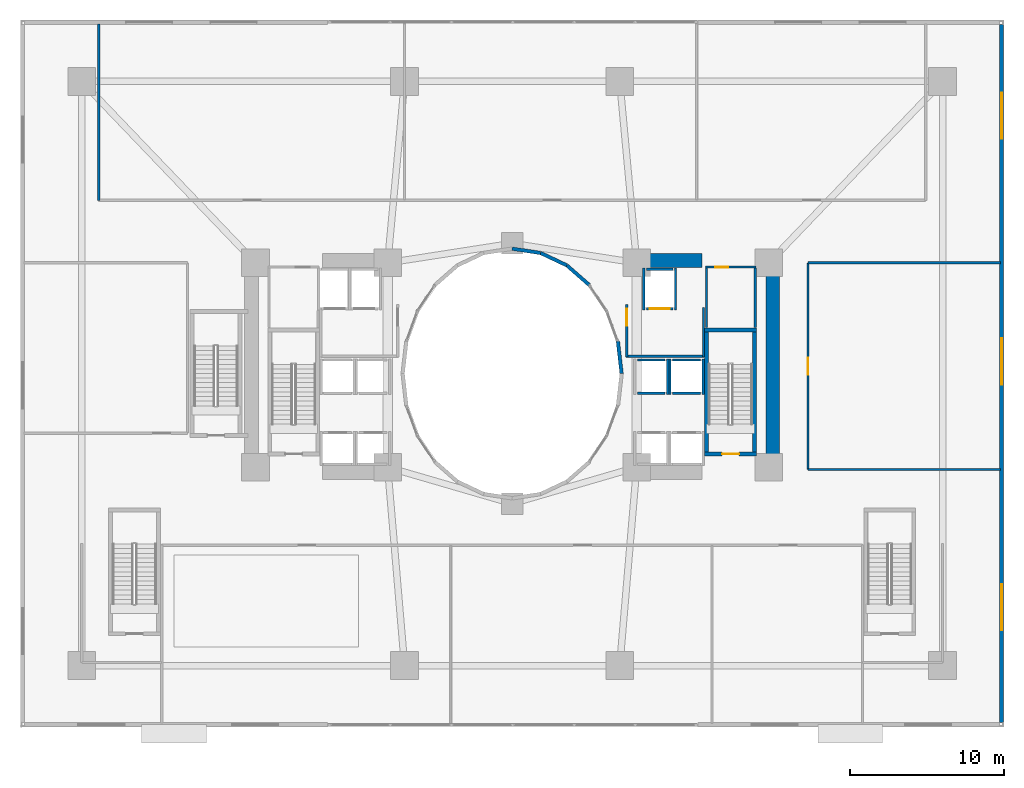
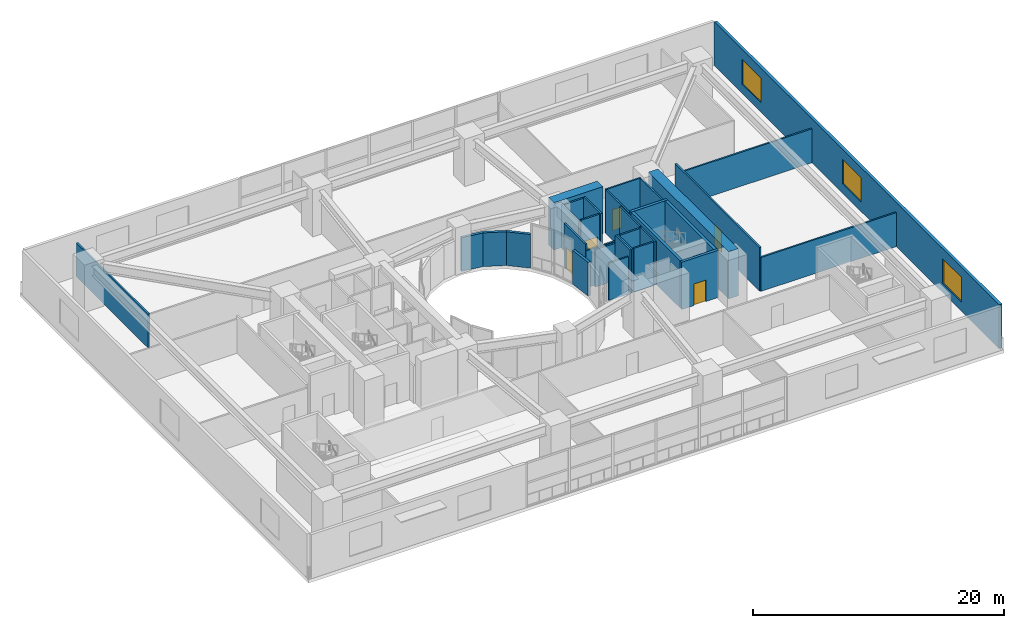
# One storey, part 17 of 25: 32 walls, 5 doors, 3 windows, 8 openings.
"""IFC4 building model written with IfcOpenShell, lengths in metres."""

from ifc_helpers import new_model, si_unit, direction, frame, frame_2d, origin, place, context, subcontext, project, spatial, rectangle, extrude, material, layer, layer_set, type_object, element, fill, save


model = new_model("IFC4")

# Units and contexts
model_context = context("Model", 3, precision=1e-05, world=origin(), true_north=direction((0.0, 1.0)))
body_context = subcontext(model_context, "Body", "Model", "MODEL_VIEW")
ifc_project = project(units=[si_unit("LENGTHUNIT", "METRE"), si_unit("AREAUNIT", "SQUARE_METRE"), si_unit("VOLUMEUNIT", "CUBIC_METRE"), si_unit("PLANEANGLEUNIT", "RADIAN"), si_unit("MASSUNIT", "GRAM", prefix="KILO")], contexts=[model_context])

# Site, building, storey
site_placement = place(None, origin())
site = spatial("IfcSite", under=ifc_project, at=site_placement, CompositionType="ELEMENT")
building_placement = place(site_placement, origin())
building = spatial("IfcBuilding", under=site, at=building_placement, Name="Solvane Sanctuary Tower", CompositionType="ELEMENT")
storey_placement = place(building_placement, frame((0.0, 0.0, 13.800048828125)))
storey = spatial("IfcBuildingStorey", under=building, at=storey_placement, Name="L04", CompositionType="ELEMENT", Elevation=13.800048828125)

# Walls
ifc_material_1 = material(Name="Concrete C70/85", Category="concrete")
ifc_layer_1 = layer(ifc_material_1, 0.89990234375, Name="Concrete C70/85")
ifc_layer_set_1 = layer_set([ifc_layer_1], Name="Concrete C70/85")
wall_type_1 = type_object("IfcWallType", Name="Wall W-CORE-900", PredefinedType="SHEAR", material=ifc_layer_set_1)
wall_1_placement = place(storey_placement, frame((48.949951171875, 17.050048828125, 0.0), z_axis=(0.0, 0.0, 1.0), x_axis=(0.0, 1.0, 0.0)))
element("IfcWall", 1, at=wall_1_placement, inside=storey, type_object=wall_type_1, Name="L04 Core Shear Wall EC-E", PredefinedType="SHEAR", context=body_context, shape_type="SweptSolid", body=[
    extrude(rectangle(XDim=12.800048828125, YDim=0.89990234375, at=frame_2d((6.39990234375, 0.0))), origin(), (0.0, 0.0, 1.0), 4.599853515625),
])
wall_2_placement = place(storey_placement, frame((39.85009765625, 30.35009765625, 0.0), z_axis=(0.0, 0.0, 1.0), x_axis=(1.0, 0.0, 0.0)))
element("IfcWall", 2, at=wall_2_placement, inside=storey, type_object=wall_type_1, Name="L04 Core Shear Wall EC-N", PredefinedType="SHEAR", context=body_context, shape_type="SweptSolid", body=[
    extrude(rectangle(XDim=4.5, YDim=0.89990234375, at=frame_2d((2.25, 0.0))), origin(), (0.0, 0.0, 1.0), 4.599853515625),
])
ifc_material_2 = material(Name="Acoustic Gypsum Partition Board")
ifc_layer_2 = layer(ifc_material_2, 0.14990234375, Name="Acoustic Gypsum Partition Board")
ifc_layer_set_2 = layer_set([ifc_layer_2], Name="Acoustic Gypsum Partition Board")
wall_type_2 = type_object("IfcWallType", Name="Wall W-CORR-150", PredefinedType="PARTITIONING", material=ifc_layer_set_2)
wall_3_placement = place(storey_placement, frame((39.39990234375, 24.1201171875, 0.0), z_axis=(0.0, 0.0, 1.0), x_axis=(1.0, 0.0, 0.0)))
element("IfcWall", 3, at=wall_3_placement, inside=storey, type_object=wall_type_2, Name="L04 East Firefighting Lobby South Wall", PredefinedType="PARTITIONING", context=body_context, shape_type="SweptSolid", body=[
    extrude(rectangle(XDim=5.080078125, YDim=0.14990234375, at=frame_2d((2.5400390625, 0.0))), origin(), (0.0, 0.0, 1.0), 3.619873046875),
])
wall_4_placement = place(storey_placement, frame((44.449951171875, 24.080078125, 0.0), z_axis=(0.0, 0.0, 1.0), x_axis=(0.0, 1.0, 0.0)))
element("IfcWall", 4, at=wall_4_placement, inside=storey, type_object=wall_type_2, Name="L04 East Firefighting Lobby East Wall", PredefinedType="PARTITIONING", context=body_context, shape_type="SweptSolid", body=[
    extrude(rectangle(XDim=3.199951171875, YDim=0.14990234375, at=frame_2d((1.60009765625, 0.0))), origin(), (0.0, 0.0, 1.0), 4.2548828125),
])

# Wall, opening, door
wall_5_placement = place(storey_placement, frame((39.449951171875, 24.080078125, 0.0), z_axis=(0.0, 0.0, 1.0), x_axis=(0.0, 1.0, 0.0)))
wall_5 = element("IfcWall", 5, at=wall_5_placement, inside=storey, type_object=wall_type_2, Name="L04 East Firefighting Lobby West Wall", PredefinedType="PARTITIONING", context=body_context, shape_type="SweptSolid", body=[
    extrude(rectangle(XDim=3.39990234375, YDim=0.14990234375, at=frame_2d((1.699951171875, 0.0))), origin(), (0.0, 0.0, 1.0), 4.2548828125),
])
opening_1_placement = place(wall_5_placement, frame((2.02001953125, 0.0, 0.0)))
opening_1 = element("IfcOpeningElement", 6, at=opening_1_placement, cuts=wall_5, Name="Opening D-L04-07", PredefinedType="OPENING", context=body_context, shape_type="SweptSolid", body=[
    extrude(rectangle(XDim=1.10009765625, YDim=2.10009765625, at=frame_2d((0.550048828125, 1.050048828125))), frame((0.0, 0.0849609375, 0.0), z_axis=(0.0, -1.0, 0.0), x_axis=(1.0, 0.0, 0.0)), (0.0, 0.0, 1.0), 0.169921875),
])
ifc_material_3 = material(Name="Architectural Stainless Steel 316", Category="steel")
door_type_1 = type_object("IfcDoorType", Name="Door D-FFL", OperationType="NOTDEFINED", PredefinedType="DOOR", material=ifc_material_3)
door_1_placement = place(opening_1_placement, origin())
door_1 = element("IfcDoor", 7, at=door_1_placement, inside=storey, type_object=door_type_1, Name="L04 East Firefighting Lobby Fire Door", OperationType="SINGLE_SWING_LEFT", OverallHeight=2.10009765625, OverallWidth=1.10009765625, PredefinedType="DOOR", context=body_context, shape_type="SweptSolid", body=[
    extrude(rectangle(XDim=1.10009765625, YDim=2.10009765625, at=frame_2d((0.550048828125, 1.050048828125))), frame((0.0, 0.02490234375, 0.0), z_axis=(0.0, -1.0, 0.0), x_axis=(1.0, 0.0, 0.0)), (0.0, 0.0, 1.0), 0.050048828125),
])
fill(opening_1, door_1)

# Wall
wall_6_placement = place(storey_placement, frame((5.10009765625, 34.27001953125, 0.0), z_axis=(0.0, 0.0, 1.0), x_axis=(0.0, 1.0, 0.0)))
element("IfcWall", 8, at=wall_6_placement, inside=storey, type_object=wall_type_2, Name="L04 North Hall West Wall", PredefinedType="PARTITIONING", context=body_context, shape_type="SweptSolid", body=[
    extrude(rectangle(XDim=11.47998046875, YDim=0.14990234375, at=frame_2d((5.739990234375, 0.0))), origin(), (0.0, 0.0, 1.0), 3.300048828125),
])

# Wall, opening, door
wall_7_placement = place(storey_placement, frame((51.25, 16.75, 0.0), z_axis=(0.0, 0.0, 1.0), x_axis=(0.0, 1.0, 0.0)))
wall_7 = element("IfcWall", 9, at=wall_7_placement, inside=storey, type_object=wall_type_2, Name="L04 East Sanctuary Corridor Wall", PredefinedType="PARTITIONING", context=body_context, shape_type="SweptSolid", body=[
    extrude(rectangle(XDim=13.449951171875, YDim=0.14990234375, at=frame_2d((6.72509765625, 0.0))), origin(), (0.0, 0.0, 1.0), 4.2548828125),
])
opening_2_placement = place(wall_7_placement, frame((6.175048828125, 0.0, 0.0)))
opening_2 = element("IfcOpeningElement", 10, at=opening_2_placement, cuts=wall_7, Name="Opening D-L04-14", PredefinedType="OPENING", context=body_context, shape_type="SweptSolid", body=[
    extrude(rectangle(XDim=1.10009765625, YDim=2.10009765625, at=frame_2d((0.550048828125, 1.050048828125))), frame((0.0, 0.0849609375, 0.0), z_axis=(0.0, -1.0, 0.0), x_axis=(1.0, 0.0, 0.0)), (0.0, 0.0, 1.0), 0.169921875),
])
door_2_placement = place(opening_2_placement, origin())
door_2 = element("IfcDoor", 11, at=door_2_placement, inside=storey, type_object=door_type_1, Name="L04 DIET Office Door", OperationType="SINGLE_SWING_RIGHT", OverallHeight=2.10009765625, OverallWidth=1.10009765625, PredefinedType="DOOR", context=body_context, shape_type="SweptSolid", body=[
    extrude(rectangle(XDim=1.10009765625, YDim=2.10009765625, at=frame_2d((0.550048828125, 1.050048828125))), frame((0.0, 0.02490234375, 0.0), z_axis=(0.0, -1.0, 0.0), x_axis=(1.0, 0.0, 0.0)), (0.0, 0.0, 1.0), 0.050048828125),
])
fill(opening_2, door_2)

# Walls
for number, where, z_axis, x_axis, name in (
    (12, (51.25, 16.75, 0.0), (0.0, 0.0, 1.0), (1.0, 0.0, 0.0), "L04 East Sanctuary South Wall"),
    (13, (51.25, 30.199951171875, 0.0), (0.0, 0.0, 1.0), (1.0, 0.0, 0.0), "L04 East Sanctuary North Wall"),
):
    element("IfcWall", number, at=place(storey_placement, frame(where, z_axis=z_axis, x_axis=x_axis)), inside=storey, type_object=wall_type_2, Name=name, PredefinedType="PARTITIONING", context=body_context, shape_type="SweptSolid", body=[
        extrude(rectangle(XDim=12.530029296875, YDim=0.14990234375, at=frame_2d((6.26513671875, 0.0))), origin(), (0.0, 0.0, 1.0), 3.300048828125),
    ])

# Wall, openings, windows
ifc_material_4 = material(Name="Precast concrete C40/50", Category="concrete")
ifc_layer_3 = layer(ifc_material_4, 0.260009765625, Name="Precast concrete C40/50")
ifc_layer_set_3 = layer_set([ifc_layer_3], Name="Precast concrete C40/50")
wall_type_3 = type_object("IfcWallType", Name="Wall W-EXT-250", PredefinedType="STANDARD", material=ifc_layer_set_3)
wall_8_placement = place(storey_placement, frame((63.85009765625, 0.280029296875, 0.0), z_axis=(0.0, 0.0, 1.0), x_axis=(0.0, 1.0, 0.0)))
wall_8 = element("IfcWall", 14, at=wall_8_placement, inside=storey, type_object=wall_type_3, Name="L04 Podium Facade Wall E1", PredefinedType="STANDARD", context=body_context, shape_type="SweptSolid", body=[
    extrude(rectangle(XDim=45.43994140625, YDim=0.260009765625, at=frame_2d((22.719970703125, 0.0))), origin(), (0.0, 0.0, 1.0), 4.280029296875),
])
opening_3_placement = place(wall_8_placement, frame((6.0, 0.0, 0.89990234375)))
opening_3 = element("IfcOpeningElement", 15, at=opening_3_placement, cuts=wall_8, Name="Opening WN-POD-3000", PredefinedType="OPENING", context=body_context, shape_type="SweptSolid", body=[
    extrude(rectangle(XDim=3.0, YDim=2.39990234375, at=frame_2d((1.5, 1.199951171875))), frame((0.0, 0.139892578125, 0.0), z_axis=(0.0, -1.0, 0.0), x_axis=(1.0, 0.0, 0.0)), (0.0, 0.0, 1.0), 0.280029296875),
])
opening_4_placement = place(wall_8_placement, frame((22.0, 0.0, 0.89990234375)))
opening_4 = element("IfcOpeningElement", 16, at=opening_4_placement, cuts=wall_8, Name="Opening WN-POD-3000", PredefinedType="OPENING", context=body_context, shape_type="SweptSolid", body=[
    extrude(rectangle(XDim=3.0, YDim=2.39990234375, at=frame_2d((1.5, 1.199951171875))), frame((0.0, 0.139892578125, 0.0), z_axis=(0.0, -1.0, 0.0), x_axis=(1.0, 0.0, 0.0)), (0.0, 0.0, 1.0), 0.280029296875),
])
opening_5_placement = place(wall_8_placement, frame((38.0, 0.0, 0.89990234375)))
opening_5 = element("IfcOpeningElement", 17, at=opening_5_placement, cuts=wall_8, Name="Opening WN-POD-3000", PredefinedType="OPENING", context=body_context, shape_type="SweptSolid", body=[
    extrude(rectangle(XDim=3.0, YDim=2.39990234375, at=frame_2d((1.5, 1.199951171875))), frame((0.0, 0.139892578125, 0.0), z_axis=(0.0, -1.0, 0.0), x_axis=(1.0, 0.0, 0.0)), (0.0, 0.0, 1.0), 0.280029296875),
])
ifc_material_5 = material(Name="Dark Ceramic-Fritted Low-E Glass", Category="glass")
window_type = type_object("IfcWindowType", Name="Window WN-POD-3000", PartitioningType="SINGLE_PANEL", PredefinedType="WINDOW", material=ifc_material_5)
window_1_placement = place(opening_3_placement, origin())
window_1 = element("IfcWindow", 18, at=window_1_placement, inside=storey, type_object=window_type, Name="L04 Podium Window E1-6", OverallHeight=2.39990234375, OverallWidth=3.0, PartitioningType="SINGLE_PANEL", PredefinedType="WINDOW", context=body_context, shape_type="SweptSolid", body=[
    extrude(rectangle(XDim=3.0, YDim=2.39990234375, at=frame_2d((1.5, 1.199951171875))), frame((0.0, 0.030029296875, 0.0), z_axis=(0.0, -1.0, 0.0), x_axis=(1.0, 0.0, 0.0)), (0.0, 0.0, 1.0), 0.06005859375),
])
fill(opening_3, window_1)
window_2_placement = place(opening_4_placement, origin())
window_2 = element("IfcWindow", 19, at=window_2_placement, inside=storey, type_object=window_type, Name="L04 Podium Window E1-22", OverallHeight=2.39990234375, OverallWidth=3.0, PartitioningType="SINGLE_PANEL", PredefinedType="WINDOW", context=body_context, shape_type="SweptSolid", body=[
    extrude(rectangle(XDim=3.0, YDim=2.39990234375, at=frame_2d((1.5, 1.199951171875))), frame((0.0, 0.030029296875, 0.0), z_axis=(0.0, -1.0, 0.0), x_axis=(1.0, 0.0, 0.0)), (0.0, 0.0, 1.0), 0.06005859375),
])
fill(opening_4, window_2)
window_3_placement = place(opening_5_placement, origin())
window_3 = element("IfcWindow", 20, at=window_3_placement, inside=storey, type_object=window_type, Name="L04 Podium Window E1-38", OverallHeight=2.39990234375, OverallWidth=3.0, PartitioningType="SINGLE_PANEL", PredefinedType="WINDOW", context=body_context, shape_type="SweptSolid", body=[
    extrude(rectangle(XDim=3.0, YDim=2.39990234375, at=frame_2d((1.5, 1.199951171875))), frame((0.0, 0.030029296875, 0.0), z_axis=(0.0, -1.0, 0.0), x_axis=(1.0, 0.0, 0.0)), (0.0, 0.0, 1.0), 0.06005859375),
])
fill(opening_5, window_3)

# Walls
ifc_layer_4 = layer(ifc_material_4, 0.22998046875, Name="Precast concrete C40/50")
ifc_layer_set_4 = layer_set([ifc_layer_4], Name="Precast concrete C40/50")
wall_type_4 = type_object("IfcWallType", Name="Wall W-EXT-SP220", PredefinedType="STANDARD", material=ifc_layer_set_4)
wall_9_placement = place(storey_placement, frame((39.1201171875, 23.0, 0.0), z_axis=(0.0, 0.0, 1.0), x_axis=(-0.114711713601, 0.993398823617, 0.0)))
element("IfcWall", 21, at=wall_9_placement, inside=storey, type_object=wall_type_4, Name="L04 Light-Well Enclosure Wall 00", PredefinedType="STANDARD", context=body_context, shape_type="SweptSolid", body=[
    extrude(rectangle(XDim=2.115478515625, YDim=0.22998046875, at=frame_2d((1.0576171875, 0.0))), origin(), (0.0, 0.0, 1.0), 3.280029296875),
])
wall_10_placement = place(storey_placement, frame((37.03466796875, 28.74169921875, 0.0), z_axis=(0.0, 0.0, 1.0), x_axis=(-0.752576694707, 0.658504607869, 0.0)))
element("IfcWall", 22, at=wall_10_placement, inside=storey, type_object=wall_type_4, Name="L04 Light-Well Enclosure Wall 03", PredefinedType="STANDARD", context=body_context, shape_type="SweptSolid", body=[
    extrude(rectangle(XDim=1.95947265625, YDim=0.22998046875, at=frame_2d((0.979736328125, 0.0))), origin(), (0.0, 0.0, 1.0), 3.280029296875),
])
wall_11_placement = place(storey_placement, frame((35.56005859375, 30.031982421875, 0.0), z_axis=(0.0, 0.0, 1.0), x_axis=(-0.904179699603, 0.427152280606, 0.0)))
element("IfcWall", 23, at=wall_11_placement, inside=storey, type_object=wall_type_4, Name="L04 Light-Well Enclosure Wall 04", PredefinedType="STANDARD", context=body_context, shape_type="SweptSolid", body=[
    extrude(rectangle(XDim=1.899169921875, YDim=0.22998046875, at=frame_2d((0.94970703125, 0.0))), origin(), (0.0, 0.0, 1.0), 3.280029296875),
])
wall_12_placement = place(storey_placement, frame((33.8427734375, 30.84326171875, 0.0), z_axis=(0.0, 0.0, 1.0), x_axis=(-0.988901730308, 0.148571086668, 0.0)))
element("IfcWall", 24, at=wall_12_placement, inside=storey, type_object=wall_type_4, Name="L04 Light-Well Enclosure Wall 05", PredefinedType="STANDARD", context=body_context, shape_type="SweptSolid", body=[
    extrude(rectangle(XDim=1.863525390625, YDim=0.22998046875, at=frame_2d((0.931640625, 0.0))), origin(), (0.0, 0.0, 1.0), 3.280029296875),
])
ifc_material_6 = material(Name="Concrete C50/60", Category="concrete")
ifc_layer_5 = layer(ifc_material_6, 0.14990234375, Name="Concrete C50/60")
ifc_layer_set_5 = layer_set([ifc_layer_5], Name="Concrete C50/60")
wall_type_5 = type_object("IfcWallType", Name="Wall W-SHAFT-150", PredefinedType="SOLIDWALL", material=ifc_layer_set_5)
for number, where, z_axis, x_axis, name in (
    (25, (42.43994140625, 21.719970703125, 0.0), (0.0, 0.0, 1.0), (1.0, 0.0, 0.0), "L04 PM-2 Lift Shaft Wall F"),
    (26, (42.43994140625, 23.8798828125, 0.0), (0.0, 0.0, 1.0), (1.0, 0.0, 0.0), "L04 PM-2 Lift Shaft Wall B"),
):
    element("IfcWall", number, at=place(storey_placement, frame(where, z_axis=z_axis, x_axis=x_axis)), inside=storey, type_object=wall_type_5, Name=name, PredefinedType="SOLIDWALL", context=body_context, shape_type="SweptSolid", body=[
        extrude(rectangle(XDim=1.820068359375, YDim=0.14990234375, at=frame_2d((0.91015625, 0.0))), origin(), (0.0, 0.0, 1.0), 4.2548828125),
    ])
for number, where, z_axis, x_axis, name in (
    (27, (42.27001953125, 21.639892578125, 0.0), (0.0, 0.0, 1.0), (0.0, 1.0, 0.0), "L04 PM-2 Lift Shaft Wall S1"),
    (28, (44.429931640625, 21.639892578125, 0.0), (0.0, 0.0, 1.0), (0.0, 1.0, 0.0), "L04 PM-2 Lift Shaft Wall S2"),
):
    element("IfcWall", number, at=place(storey_placement, frame(where, z_axis=z_axis, x_axis=x_axis)), inside=storey, type_object=wall_type_5, Name=name, PredefinedType="SOLIDWALL", context=body_context, shape_type="SweptSolid", body=[
        extrude(rectangle(XDim=2.320068359375, YDim=0.14990234375, at=frame_2d((1.16015625, 0.0))), origin(), (0.0, 0.0, 1.0), 4.2548828125),
    ])
for number, where, z_axis, x_axis, name in (
    (29, (40.139892578125, 21.719970703125, 0.0), (0.0, 0.0, 1.0), (1.0, 0.0, 0.0), "L04 PH-2 Lift Shaft Wall F"),
    (30, (40.139892578125, 23.8798828125, 0.0), (0.0, 0.0, 1.0), (1.0, 0.0, 0.0), "L04 PH-2 Lift Shaft Wall B"),
):
    element("IfcWall", number, at=place(storey_placement, frame(where, z_axis=z_axis, x_axis=x_axis)), inside=storey, type_object=wall_type_5, Name=name, PredefinedType="SOLIDWALL", context=body_context, shape_type="SweptSolid", body=[
        extrude(rectangle(XDim=1.820068359375, YDim=0.14990234375, at=frame_2d((0.91015625, 0.0))), origin(), (0.0, 0.0, 1.0), 3.619873046875),
    ])
wall_13_placement = place(storey_placement, frame((42.1298828125, 21.639892578125, 0.0), z_axis=(0.0, 0.0, 1.0), x_axis=(0.0, 1.0, 0.0)))
element("IfcWall", 31, at=wall_13_placement, inside=storey, type_object=wall_type_5, Name="L04 PH-2 Lift Shaft Wall S2", PredefinedType="SOLIDWALL", context=body_context, shape_type="SweptSolid", body=[
    extrude(rectangle(XDim=2.320068359375, YDim=0.14990234375, at=frame_2d((1.16015625, 0.0))), origin(), (0.0, 0.0, 1.0), 4.2548828125),
])

# Wall, opening, door
wall_14_placement = place(storey_placement, frame((40.739990234375, 27.219970703125, 0.0), z_axis=(0.0, 0.0, 1.0), x_axis=(1.0, 0.0, 0.0)))
wall_14 = element("IfcWall", 32, at=wall_14_placement, inside=storey, type_object=wall_type_5, Name="L04 FFL-2 Lift Shaft Wall F", PredefinedType="SOLIDWALL", context=body_context, shape_type="SweptSolid", body=[
    extrude(rectangle(XDim=1.719970703125, YDim=0.14990234375, at=frame_2d((0.85986328125, 0.0))), origin(), (0.0, 0.0, 1.0), 4.2548828125),
])
opening_6_placement = place(wall_14_placement, frame((0.2099609375, 0.0, 0.0)))
opening_6 = element("IfcOpeningElement", 33, at=opening_6_placement, cuts=wall_14, Name="Opening LD-L04-07", PredefinedType="OPENING", context=body_context, shape_type="SweptSolid", body=[
    extrude(rectangle(XDim=1.300048828125, YDim=2.10009765625, at=frame_2d((0.64990234375, 1.050048828125))), frame((0.0, 0.0849609375, 0.0), z_axis=(0.0, -1.0, 0.0), x_axis=(1.0, 0.0, 0.0)), (0.0, 0.0, 1.0), 0.169921875),
])
door_type_2 = type_object("IfcDoorType", Name="Door LD-FFL-1300", OperationType="NOTDEFINED", PredefinedType="DOOR", material=ifc_material_3)
door_3_placement = place(opening_6_placement, origin())
door_3 = element("IfcDoor", 34, at=door_3_placement, inside=storey, type_object=door_type_2, Name="L04 FFL-2 Lift Landing Door", OperationType="DOUBLE_DOOR_SLIDING", OverallHeight=2.10009765625, OverallWidth=1.300048828125, PredefinedType="DOOR", context=body_context, shape_type="SweptSolid", body=[
    extrude(rectangle(XDim=1.300048828125, YDim=2.10009765625, at=frame_2d((0.64990234375, 1.050048828125))), frame((0.0, 0.02490234375, 0.0), z_axis=(0.0, -1.0, 0.0), x_axis=(1.0, 0.0, 0.0)), (0.0, 0.0, 1.0), 0.050048828125),
])
fill(opening_6, door_3)

# Walls
wall_15_placement = place(storey_placement, frame((40.739990234375, 29.780029296875, 0.0), z_axis=(0.0, 0.0, 1.0), x_axis=(1.0, 0.0, 0.0)))
element("IfcWall", 35, at=wall_15_placement, inside=storey, type_object=wall_type_5, Name="L04 FFL-2 Lift Shaft Wall B", PredefinedType="SOLIDWALL", context=body_context, shape_type="SweptSolid", body=[
    extrude(rectangle(XDim=1.719970703125, YDim=0.14990234375, at=frame_2d((0.85986328125, 0.0))), origin(), (0.0, 0.0, 1.0), 4.2548828125),
])
for number, where, z_axis, x_axis, name in (
    (36, (40.570068359375, 27.139892578125, 0.0), (0.0, 0.0, 1.0), (0.0, 1.0, 0.0), "L04 FFL-2 Lift Shaft Wall S1"),
    (37, (42.6298828125, 27.139892578125, 0.0), (0.0, 0.0, 1.0), (0.0, 1.0, 0.0), "L04 FFL-2 Lift Shaft Wall S2"),
):
    element("IfcWall", number, at=place(storey_placement, frame(where, z_axis=z_axis, x_axis=x_axis)), inside=storey, type_object=wall_type_5, Name=name, PredefinedType="SOLIDWALL", context=body_context, shape_type="SweptSolid", body=[
        extrude(rectangle(XDim=2.72021484375, YDim=0.14990234375, at=frame_2d((1.360107421875, 0.0))), origin(), (0.0, 0.0, 1.0), 4.2548828125),
    ])

# Wall, opening, door
ifc_layer_6 = layer(ifc_material_6, 0.25, Name="Concrete C50/60")
ifc_layer_set_6 = layer_set([ifc_layer_6], Name="Concrete C50/60")
wall_type_6 = type_object("IfcWallType", Name="Wall W-SHAFT-250", PredefinedType="SOLIDWALL", material=ifc_layer_set_6)
wall_16_placement = place(storey_placement, frame((44.52490234375, 17.77001953125, 0.0), z_axis=(0.0, 0.0, 1.0), x_axis=(1.0, 0.0, 0.0)))
wall_16 = element("IfcWall", 38, at=wall_16_placement, inside=storey, type_object=wall_type_6, Name="L04 ST-2 Load-Bearing Shaft Wall S", PredefinedType="SOLIDWALL", context=body_context, shape_type="SweptSolid", body=[
    extrude(rectangle(XDim=3.3701171875, YDim=0.25, at=frame_2d((1.68505859375, 0.0))), origin(), (0.0, 0.0, 1.0), 4.599853515625),
])
opening_7_placement = place(wall_16_placement, frame((1.135009765625, 0.0, 0.0)))
opening_7 = element("IfcOpeningElement", 39, at=opening_7_placement, cuts=wall_16, Name="Opening D-L04-02", PredefinedType="OPENING", context=body_context, shape_type="SweptSolid", body=[
    extrude(rectangle(XDim=1.10009765625, YDim=2.10009765625, at=frame_2d((0.550048828125, 1.050048828125))), frame((0.0, 0.135009765625, 0.0), z_axis=(0.0, -1.0, 0.0), x_axis=(1.0, 0.0, 0.0)), (0.0, 0.0, 1.0), 0.27001953125),
])
door_type_3 = type_object("IfcDoorType", Name="Door D-STAIR", OperationType="NOTDEFINED", PredefinedType="DOOR", material=ifc_material_3)
door_4_placement = place(opening_7_placement, origin())
door_4 = element("IfcDoor", 40, at=door_4_placement, inside=storey, type_object=door_type_3, Name="L04 ST-2 Exit Stair Fire Door", OperationType="SINGLE_SWING_LEFT", OverallHeight=2.10009765625, OverallWidth=1.10009765625, PredefinedType="DOOR", context=body_context, shape_type="SweptSolid", body=[
    extrude(rectangle(XDim=1.10009765625, YDim=2.10009765625, at=frame_2d((0.550048828125, 1.050048828125))), frame((0.0, 0.02490234375, 0.0), z_axis=(0.0, -1.0, 0.0), x_axis=(1.0, 0.0, 0.0)), (0.0, 0.0, 1.0), 0.050048828125),
])
fill(opening_7, door_4)

# Walls
wall_17_placement = place(storey_placement, frame((44.52490234375, 25.830078125, 0.0), z_axis=(0.0, 0.0, 1.0), x_axis=(1.0, 0.0, 0.0)))
element("IfcWall", 41, at=wall_17_placement, inside=storey, type_object=wall_type_6, Name="L04 ST-2 Load-Bearing Shaft Wall N", PredefinedType="SOLIDWALL", context=body_context, shape_type="SweptSolid", body=[
    extrude(rectangle(XDim=3.3701171875, YDim=0.25, at=frame_2d((1.68505859375, 0.0))), origin(), (0.0, 0.0, 1.0), 4.599853515625),
])
for number, where, z_axis, x_axis, name in (
    (42, (44.64990234375, 17.89501953125, 0.0), (0.0, 0.0, 1.0), (0.0, 1.0, 0.0), "L04 ST-2 Load-Bearing Shaft Wall W"),
    (43, (47.77001953125, 17.89501953125, 0.0), (0.0, 0.0, 1.0), (0.0, 1.0, 0.0), "L04 ST-2 Load-Bearing Shaft Wall E"),
):
    element("IfcWall", number, at=place(storey_placement, frame(where, z_axis=z_axis, x_axis=x_axis)), inside=storey, type_object=wall_type_6, Name=name, PredefinedType="SOLIDWALL", context=body_context, shape_type="SweptSolid", body=[
        extrude(rectangle(XDim=7.81005859375, YDim=0.25, at=frame_2d((3.905029296875, 0.0))), origin(), (0.0, 0.0, 1.0), 4.599853515625),
    ])

# Wall, opening, door
ifc_layer_7 = layer(ifc_material_2, 0.139892578125, Name="Acoustic Gypsum Partition Board")
ifc_layer_set_7 = layer_set([ifc_layer_7], Name="Acoustic Gypsum Partition Board")
wall_type_7 = type_object("IfcWallType", Name="Wall W-WET-140", PredefinedType="PLUMBINGWALL", material=ifc_layer_set_7)
wall_18_placement = place(storey_placement, frame((44.580078125, 29.919921875, 0.0), z_axis=(0.0, 0.0, 1.0), x_axis=(1.0, 0.0, 0.0)))
wall_18 = element("IfcWall", 44, at=wall_18_placement, inside=storey, type_object=wall_type_7, Name="L04 Core Store Front Wall", PredefinedType="PLUMBINGWALL", context=body_context, shape_type="SweptSolid", body=[
    extrude(rectangle(XDim=3.2998046875, YDim=0.139892578125, at=frame_2d((1.64990234375, 0.0))), origin(), (0.0, 0.0, 1.0), 4.2548828125),
])
opening_8_placement = place(wall_18_placement, frame((0.643310546875, 0.0, 0.0)))
opening_8 = element("IfcOpeningElement", 45, at=opening_8_placement, cuts=wall_18, Name="Opening D-L04-17", PredefinedType="OPENING", context=body_context, shape_type="SweptSolid", body=[
    extrude(rectangle(XDim=0.85009765625, YDim=2.050048828125, at=frame_2d((0.425048828125, 1.02490234375))), frame((0.0, 0.079833984375, 0.0), z_axis=(0.0, -1.0, 0.0), x_axis=(1.0, 0.0, 0.0)), (0.0, 0.0, 1.0), 0.159912109375),
])
door_type_4 = type_object("IfcDoorType", Name="Door D-RISER", OperationType="NOTDEFINED", PredefinedType="DOOR", material=ifc_material_3)
door_5_placement = place(opening_8_placement, origin())
door_5 = element("IfcDoor", 46, at=door_5_placement, inside=storey, type_object=door_type_4, Name="L04 Core Store Door", OperationType="SINGLE_SWING_LEFT", OverallHeight=2.050048828125, OverallWidth=0.85009765625, PredefinedType="DOOR", context=body_context, shape_type="SweptSolid", body=[
    extrude(rectangle(XDim=0.85009765625, YDim=2.050048828125, at=frame_2d((0.425048828125, 1.02490234375))), frame((0.0, 0.02490234375, 0.0), z_axis=(0.0, -1.0, 0.0), x_axis=(1.0, 0.0, 0.0)), (0.0, 0.0, 1.0), 0.050048828125),
])
fill(opening_8, door_5)

# Walls
for number, where, z_axis, x_axis, name in (
    (47, (44.639892578125, 25.97998046875, 0.0), (0.0, 0.0, 1.0), (0.0, 1.0, 0.0), "L04 Core Store West Wall"),
    (48, (47.820068359375, 25.97998046875, 0.0), (0.0, 0.0, 1.0), (0.0, 1.0, 0.0), "L04 Core Store East Wall"),
):
    element("IfcWall", number, at=place(storey_placement, frame(where, z_axis=z_axis, x_axis=x_axis)), inside=storey, type_object=wall_type_7, Name=name, PredefinedType="PLUMBINGWALL", context=body_context, shape_type="SweptSolid", body=[
        extrude(rectangle(XDim=3.880126953125, YDim=0.139892578125, at=frame_2d((1.93994140625, 0.0))), origin(), (0.0, 0.0, 1.0), 4.2548828125),
    ])

save(model, "model.ifc")
